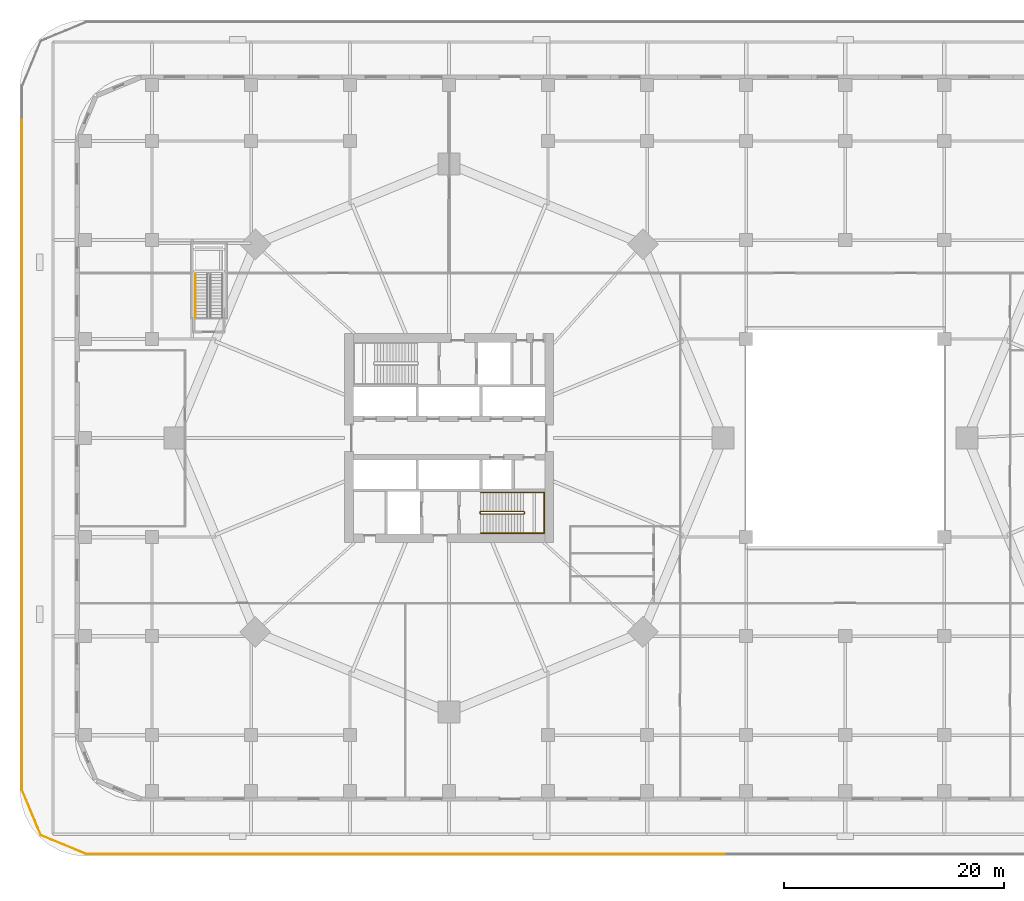
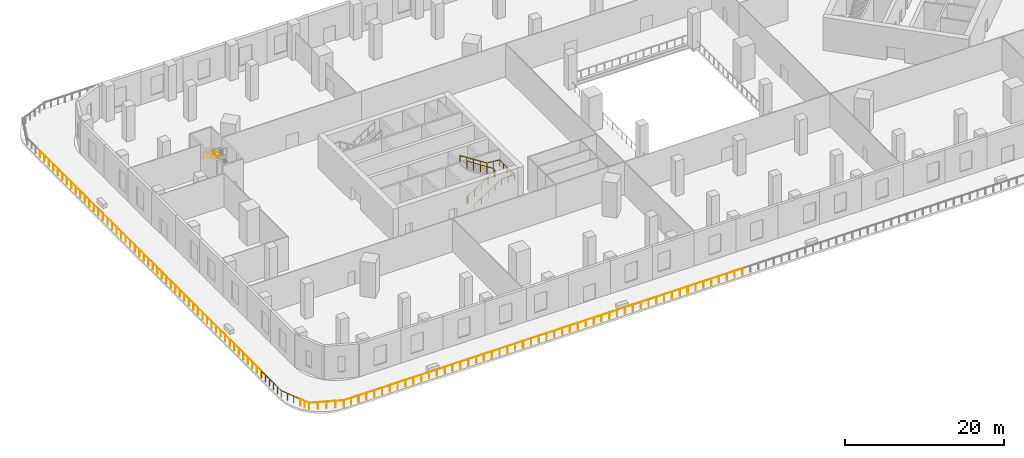
# One storey, part 14 of 20: 19 railings.
"""IFC4 building model written with IfcOpenShell, lengths in metres."""

from ifc_helpers import new_model, si_unit, direction, frame, origin, origin_2d, place, context, subcontext, project, spatial, circle, extrude, material, type_object, element, save


model = new_model("IFC4")

# Units and contexts
model_context = context("Model", 3, precision=1e-05, world=origin(), true_north=direction((0.0, 1.0)))
body_context = subcontext(model_context, "Body", "Model", "MODEL_VIEW")
ifc_project = project(units=[si_unit("LENGTHUNIT", "METRE"), si_unit("AREAUNIT", "SQUARE_METRE"), si_unit("VOLUMEUNIT", "CUBIC_METRE"), si_unit("PLANEANGLEUNIT", "RADIAN"), si_unit("MASSUNIT", "GRAM", prefix="KILO")], contexts=[model_context])

# Site, building, storey
site_placement = place(None, origin())
site = spatial("IfcSite", under=ifc_project, at=site_placement, CompositionType="ELEMENT")
building_placement = place(site_placement, origin())
building = spatial("IfcBuilding", under=site, at=building_placement, Name="Ogive Gate Towers", CompositionType="ELEMENT")
storey_placement = place(building_placement, frame((0.0, 0.0, 7.199951171875)))
storey = spatial("IfcBuildingStorey", under=building, at=storey_placement, Name="L01", CompositionType="ELEMENT", Elevation=7.199951171875)

# Railings
ifc_material_1 = material(Name="Stainless steel", Category="steel")
railing_type_1 = type_object("IfcRailingType", Name="Guard 1100", PredefinedType="GUARDRAIL", material=ifc_material_1)
for number, where, name in (
    (1, (-74.800048828125, 28.8916015625, 0.0), "Terrace guard"),
    (2, (-74.800048828125, 20.900390625, 0.0), "Terrace guard"),
    (3, (-74.800048828125, 12.9091796875, 0.0), "Terrace guard"),
):
    element("IfcRailing", number, at=place(storey_placement, frame(where)), inside=storey, type_object=railing_type_1, Name=name, PredefinedType="GUARDRAIL", context=body_context, shape_type="SweptSolid", body=[
        extrude(circle(Radius=0.02392578125, at=origin_2d()), frame((0.0, 0.0, 1.076171875), z_axis=(0.0, -1.0, 0.0), x_axis=(1.0, 0.0, 0.0)), (0.0, 0.0, 1.0), 7.941162109375),
        extrude(circle(Radius=0.02099609375, at=origin_2d()), origin(), (0.0, 0.0, 1.0), 1.052001953125),
        extrude(circle(Radius=0.02099609375, at=origin_2d()), frame((0.0, -1.134521484375, 0.0)), (0.0, 0.0, 1.0), 1.052001953125),
        extrude(circle(Radius=0.02099609375, at=origin_2d()), frame((0.0, -2.268798828125, 0.0)), (0.0, 0.0, 1.0), 1.052001953125),
        extrude(circle(Radius=0.02099609375, at=origin_2d()), frame((0.0, -3.4033203125, 0.0)), (0.0, 0.0, 1.0), 1.052001953125),
        extrude(circle(Radius=0.02099609375, at=origin_2d()), frame((0.0, -4.537841796875, 0.0)), (0.0, 0.0, 1.0), 1.052001953125),
        extrude(circle(Radius=0.02099609375, at=origin_2d()), frame((0.0, -5.67236328125, 0.0)), (0.0, 0.0, 1.0), 1.052001953125),
        extrude(circle(Radius=0.02099609375, at=origin_2d()), frame((0.0, -6.806640625, 0.0)), (0.0, 0.0, 1.0), 1.052001953125),
        extrude(circle(Radius=0.02099609375, at=origin_2d()), frame((0.0, -7.941162109375, 0.0)), (0.0, 0.0, 1.0), 1.052001953125),
    ])
railing_1_placement = place(storey_placement, frame((-74.800048828125, 4.918212890625, 0.0)))
element("IfcRailing", 4, at=railing_1_placement, inside=storey, type_object=railing_type_1, Name="Terrace guard", PredefinedType="GUARDRAIL", context=body_context, shape_type="SweptSolid", body=[
    extrude(circle(Radius=0.02392578125, at=origin_2d()), frame((0.0, 0.0, 1.076171875), z_axis=(0.0, -1.0, 0.0), x_axis=(1.0, 0.0, 0.0)), (0.0, 0.0, 1.0), 7.94140625),
    extrude(circle(Radius=0.02099609375, at=origin_2d()), origin(), (0.0, 0.0, 1.0), 1.052001953125),
    extrude(circle(Radius=0.02099609375, at=origin_2d()), frame((0.0, -1.134521484375, 0.0)), (0.0, 0.0, 1.0), 1.052001953125),
    extrude(circle(Radius=0.02099609375, at=origin_2d()), frame((0.0, -2.26904296875, 0.0)), (0.0, 0.0, 1.0), 1.052001953125),
    extrude(circle(Radius=0.02099609375, at=origin_2d()), frame((0.0, -3.403564453125, 0.0)), (0.0, 0.0, 1.0), 1.052001953125),
    extrude(circle(Radius=0.02099609375, at=origin_2d()), frame((0.0, -4.537841796875, 0.0)), (0.0, 0.0, 1.0), 1.052001953125),
    extrude(circle(Radius=0.02099609375, at=origin_2d()), frame((0.0, -5.67236328125, 0.0)), (0.0, 0.0, 1.0), 1.052001953125),
    extrude(circle(Radius=0.02099609375, at=origin_2d()), frame((0.0, -6.806884765625, 0.0)), (0.0, 0.0, 1.0), 1.052001953125),
    extrude(circle(Radius=0.02099609375, at=origin_2d()), frame((0.0, -7.94140625, 0.0)), (0.0, 0.0, 1.0), 1.052001953125),
])
for number, where, name in (
    (5, (-74.800048828125, -3.072998046875, 0.0), "Terrace guard"),
    (6, (-74.800048828125, -11.064208984375, 0.0), "Terrace guard"),
    (7, (-74.800048828125, -19.055419921875, 0.0), "Terrace guard"),
):
    element("IfcRailing", number, at=place(storey_placement, frame(where)), inside=storey, type_object=railing_type_1, Name=name, PredefinedType="GUARDRAIL", context=body_context, shape_type="SweptSolid", body=[
        extrude(circle(Radius=0.02392578125, at=origin_2d()), frame((0.0, 0.0, 1.076171875), z_axis=(0.0, -1.0, 0.0), x_axis=(1.0, 0.0, 0.0)), (0.0, 0.0, 1.0), 7.941162109375),
        extrude(circle(Radius=0.02099609375, at=origin_2d()), origin(), (0.0, 0.0, 1.0), 1.052001953125),
        extrude(circle(Radius=0.02099609375, at=origin_2d()), frame((0.0, -1.134521484375, 0.0)), (0.0, 0.0, 1.0), 1.052001953125),
        extrude(circle(Radius=0.02099609375, at=origin_2d()), frame((0.0, -2.268798828125, 0.0)), (0.0, 0.0, 1.0), 1.052001953125),
        extrude(circle(Radius=0.02099609375, at=origin_2d()), frame((0.0, -3.4033203125, 0.0)), (0.0, 0.0, 1.0), 1.052001953125),
        extrude(circle(Radius=0.02099609375, at=origin_2d()), frame((0.0, -4.537841796875, 0.0)), (0.0, 0.0, 1.0), 1.052001953125),
        extrude(circle(Radius=0.02099609375, at=origin_2d()), frame((0.0, -5.67236328125, 0.0)), (0.0, 0.0, 1.0), 1.052001953125),
        extrude(circle(Radius=0.02099609375, at=origin_2d()), frame((0.0, -6.806640625, 0.0)), (0.0, 0.0, 1.0), 1.052001953125),
        extrude(circle(Radius=0.02099609375, at=origin_2d()), frame((0.0, -7.941162109375, 0.0)), (0.0, 0.0, 1.0), 1.052001953125),
    ])
railing_2_placement = place(storey_placement, frame((-74.800048828125, -27.04638671875, 0.0)))
element("IfcRailing", 8, at=railing_2_placement, inside=storey, type_object=railing_type_1, Name="Terrace guard", PredefinedType="GUARDRAIL", context=body_context, shape_type="SweptSolid", body=[
    extrude(circle(Radius=0.02392578125, at=origin_2d()), frame((0.0, 0.0, 1.076171875), z_axis=(0.0, -1.0, 0.0), x_axis=(1.0, 0.0, 0.0)), (0.0, 0.0, 1.0), 4.95361328125),
    extrude(circle(Radius=0.02392578125, at=origin_2d()), frame((0.0, -4.95361328125, 1.076171875), z_axis=(0.382676559547, -0.923882379296, 0.0), x_axis=(0.923882379296, 0.382676559547, 0.0)), (0.0, 0.0, 1.0), 2.987548828125),
    extrude(circle(Radius=0.02099609375, at=origin_2d()), origin(), (0.0, 0.0, 1.0), 1.052001953125),
    extrude(circle(Radius=0.02099609375, at=origin_2d()), frame((0.0, -0.99072265625, 0.0)), (0.0, 0.0, 1.0), 1.052001953125),
    extrude(circle(Radius=0.02099609375, at=origin_2d()), frame((0.0, -1.9814453125, 0.0)), (0.0, 0.0, 1.0), 1.052001953125),
    extrude(circle(Radius=0.02099609375, at=origin_2d()), frame((0.0, -2.97216796875, 0.0)), (0.0, 0.0, 1.0), 1.052001953125),
    extrude(circle(Radius=0.02099609375, at=origin_2d()), frame((0.0, -3.962890625, 0.0)), (0.0, 0.0, 1.0), 1.052001953125),
    extrude(circle(Radius=0.02099609375, at=origin_2d()), frame((0.0, -4.95361328125, 0.0)), (0.0, 0.0, 1.0), 1.052001953125),
    extrude(circle(Radius=0.02099609375, at=origin_2d()), frame((0.381103515625, -5.873779296875, 0.0)), (0.0, 0.0, 1.0), 1.052001953125),
    extrude(circle(Radius=0.02099609375, at=origin_2d()), frame((0.76220703125, -6.793701171875, 0.0)), (0.0, 0.0, 1.0), 1.052001953125),
    extrude(circle(Radius=0.02099609375, at=origin_2d()), frame((1.143310546875, -7.7138671875, 0.0)), (0.0, 0.0, 1.0), 1.052001953125),
])
railing_3_placement = place(storey_placement, frame((-73.637451171875, -34.806396484375, 0.0)))
element("IfcRailing", 9, at=railing_3_placement, inside=storey, type_object=railing_type_1, Name="Terrace guard", PredefinedType="GUARDRAIL", context=body_context, shape_type="SweptSolid", body=[
    extrude(circle(Radius=0.02392578125, at=origin_2d()), frame((0.0, 0.0, 1.076171875), z_axis=(0.382536416134, -0.923940414925, 0.0), x_axis=(0.923940414925, 0.382536416134, 0.0)), (0.0, 0.0, 1.0), 1.401611328125),
    extrude(circle(Radius=0.02392578125, at=origin_2d()), frame((0.5361328125, -1.294921875, 1.076171875), z_axis=(0.923886797369, -0.382665892976, 0.0), x_axis=(0.382665892976, 0.923886797369, 0.0)), (0.0, 0.0, 1.0), 4.439208984375),
    extrude(circle(Radius=0.02392578125, at=origin_2d()), frame((4.637451171875, -2.99365234375, 1.076171875), z_axis=(1.0, 0.0, 0.0), x_axis=(0.0, 1.0, 0.0)), (0.0, 0.0, 1.0), 2.1005859375),
    extrude(circle(Radius=0.02099609375, at=origin_2d()), origin(), (0.0, 0.0, 1.0), 1.052001953125),
    extrude(circle(Radius=0.02099609375, at=origin_2d()), frame((0.26806640625, -0.6474609375, 0.0)), (0.0, 0.0, 1.0), 1.052001953125),
    extrude(circle(Radius=0.02099609375, at=origin_2d()), frame((0.5361328125, -1.294921875, 0.0)), (0.0, 0.0, 1.0), 1.052001953125),
    extrude(circle(Radius=0.02099609375, at=origin_2d()), frame((1.5615234375, -1.7197265625, 0.0)), (0.0, 0.0, 1.0), 1.052001953125),
    extrude(circle(Radius=0.02099609375, at=origin_2d()), frame((2.5869140625, -2.144287109375, 0.0)), (0.0, 0.0, 1.0), 1.052001953125),
    extrude(circle(Radius=0.02099609375, at=origin_2d()), frame((3.612060546875, -2.56884765625, 0.0)), (0.0, 0.0, 1.0), 1.052001953125),
    extrude(circle(Radius=0.02099609375, at=origin_2d()), frame((4.637451171875, -2.99365234375, 0.0)), (0.0, 0.0, 1.0), 1.052001953125),
    extrude(circle(Radius=0.02099609375, at=origin_2d()), frame((5.687744140625, -2.99365234375, 0.0)), (0.0, 0.0, 1.0), 1.052001953125),
    extrude(circle(Radius=0.02099609375, at=origin_2d()), frame((6.738037109375, -2.99365234375, 0.0)), (0.0, 0.0, 1.0), 1.052001953125),
])
railing_4_placement = place(storey_placement, frame((-66.849609375, -37.800048828125, 0.0)))
element("IfcRailing", 10, at=railing_4_placement, inside=storey, type_object=railing_type_1, Name="Terrace guard", PredefinedType="GUARDRAIL", context=body_context, shape_type="SweptSolid", body=[
    extrude(circle(Radius=0.02392578125, at=origin_2d()), frame((0.0, 0.0, 1.076171875), z_axis=(1.0, 0.0, 0.0), x_axis=(0.0, 1.0, 0.0)), (0.0, 0.0, 1.0), 7.94140625),
    extrude(circle(Radius=0.02099609375, at=origin_2d()), origin(), (0.0, 0.0, 1.0), 1.052001953125),
    extrude(circle(Radius=0.02099609375, at=origin_2d()), frame((1.134521484375, 0.0, 0.0)), (0.0, 0.0, 1.0), 1.052001953125),
    extrude(circle(Radius=0.02099609375, at=origin_2d()), frame((2.26904296875, 0.0, 0.0)), (0.0, 0.0, 1.0), 1.052001953125),
    extrude(circle(Radius=0.02099609375, at=origin_2d()), frame((3.403564453125, 0.0, 0.0)), (0.0, 0.0, 1.0), 1.052001953125),
    extrude(circle(Radius=0.02099609375, at=origin_2d()), frame((4.537841796875, 0.0, 0.0)), (0.0, 0.0, 1.0), 1.052001953125),
    extrude(circle(Radius=0.02099609375, at=origin_2d()), frame((5.67236328125, 0.0, 0.0)), (0.0, 0.0, 1.0), 1.052001953125),
    extrude(circle(Radius=0.02099609375, at=origin_2d()), frame((6.806884765625, 0.0, 0.0)), (0.0, 0.0, 1.0), 1.052001953125),
    extrude(circle(Radius=0.02099609375, at=origin_2d()), frame((7.94140625, 0.0, 0.0)), (0.0, 0.0, 1.0), 1.052001953125),
])
for number, where, name in (
    (11, (-58.8583984375, -37.800048828125, 0.0), "Terrace guard"),
    (12, (-50.8671875, -37.800048828125, 0.0), "Terrace guard"),
    (13, (-42.8759765625, -37.800048828125, 0.0), "Terrace guard"),
):
    element("IfcRailing", number, at=place(storey_placement, frame(where)), inside=storey, type_object=railing_type_1, Name=name, PredefinedType="GUARDRAIL", context=body_context, shape_type="SweptSolid", body=[
        extrude(circle(Radius=0.02392578125, at=origin_2d()), frame((0.0, 0.0, 1.076171875), z_axis=(1.0, 0.0, 0.0), x_axis=(0.0, 1.0, 0.0)), (0.0, 0.0, 1.0), 7.941162109375),
        extrude(circle(Radius=0.02099609375, at=origin_2d()), origin(), (0.0, 0.0, 1.0), 1.052001953125),
        extrude(circle(Radius=0.02099609375, at=origin_2d()), frame((1.134521484375, 0.0, 0.0)), (0.0, 0.0, 1.0), 1.052001953125),
        extrude(circle(Radius=0.02099609375, at=origin_2d()), frame((2.268798828125, 0.0, 0.0)), (0.0, 0.0, 1.0), 1.052001953125),
        extrude(circle(Radius=0.02099609375, at=origin_2d()), frame((3.4033203125, 0.0, 0.0)), (0.0, 0.0, 1.0), 1.052001953125),
        extrude(circle(Radius=0.02099609375, at=origin_2d()), frame((4.537841796875, 0.0, 0.0)), (0.0, 0.0, 1.0), 1.052001953125),
        extrude(circle(Radius=0.02099609375, at=origin_2d()), frame((5.67236328125, 0.0, 0.0)), (0.0, 0.0, 1.0), 1.052001953125),
        extrude(circle(Radius=0.02099609375, at=origin_2d()), frame((6.806640625, 0.0, 0.0)), (0.0, 0.0, 1.0), 1.052001953125),
        extrude(circle(Radius=0.02099609375, at=origin_2d()), frame((7.941162109375, 0.0, 0.0)), (0.0, 0.0, 1.0), 1.052001953125),
    ])
railing_5_placement = place(storey_placement, frame((-34.885009765625, -37.800048828125, 0.0)))
element("IfcRailing", 14, at=railing_5_placement, inside=storey, type_object=railing_type_1, Name="Terrace guard", PredefinedType="GUARDRAIL", context=body_context, shape_type="SweptSolid", body=[
    extrude(circle(Radius=0.02392578125, at=origin_2d()), frame((0.0, 0.0, 1.076171875), z_axis=(1.0, 0.0, 0.0), x_axis=(0.0, 1.0, 0.0)), (0.0, 0.0, 1.0), 7.94140625),
    extrude(circle(Radius=0.02099609375, at=origin_2d()), origin(), (0.0, 0.0, 1.0), 1.052001953125),
    extrude(circle(Radius=0.02099609375, at=origin_2d()), frame((1.134521484375, 0.0, 0.0)), (0.0, 0.0, 1.0), 1.052001953125),
    extrude(circle(Radius=0.02099609375, at=origin_2d()), frame((2.26904296875, 0.0, 0.0)), (0.0, 0.0, 1.0), 1.052001953125),
    extrude(circle(Radius=0.02099609375, at=origin_2d()), frame((3.403564453125, 0.0, 0.0)), (0.0, 0.0, 1.0), 1.052001953125),
    extrude(circle(Radius=0.02099609375, at=origin_2d()), frame((4.537841796875, 0.0, 0.0)), (0.0, 0.0, 1.0), 1.052001953125),
    extrude(circle(Radius=0.02099609375, at=origin_2d()), frame((5.67236328125, 0.0, 0.0)), (0.0, 0.0, 1.0), 1.052001953125),
    extrude(circle(Radius=0.02099609375, at=origin_2d()), frame((6.806884765625, 0.0, 0.0)), (0.0, 0.0, 1.0), 1.052001953125),
    extrude(circle(Radius=0.02099609375, at=origin_2d()), frame((7.94140625, 0.0, 0.0)), (0.0, 0.0, 1.0), 1.052001953125),
])
for number, where, name in (
    (15, (-26.893798828125, -37.800048828125, 0.0), "Terrace guard"),
    (16, (-18.902587890625, -37.800048828125, 0.0), "Terrace guard"),
):
    element("IfcRailing", number, at=place(storey_placement, frame(where)), inside=storey, type_object=railing_type_1, Name=name, PredefinedType="GUARDRAIL", context=body_context, shape_type="SweptSolid", body=[
        extrude(circle(Radius=0.02392578125, at=origin_2d()), frame((0.0, 0.0, 1.076171875), z_axis=(1.0, 0.0, 0.0), x_axis=(0.0, 1.0, 0.0)), (0.0, 0.0, 1.0), 7.941162109375),
        extrude(circle(Radius=0.02099609375, at=origin_2d()), origin(), (0.0, 0.0, 1.0), 1.052001953125),
        extrude(circle(Radius=0.02099609375, at=origin_2d()), frame((1.134521484375, 0.0, 0.0)), (0.0, 0.0, 1.0), 1.052001953125),
        extrude(circle(Radius=0.02099609375, at=origin_2d()), frame((2.268798828125, 0.0, 0.0)), (0.0, 0.0, 1.0), 1.052001953125),
        extrude(circle(Radius=0.02099609375, at=origin_2d()), frame((3.4033203125, 0.0, 0.0)), (0.0, 0.0, 1.0), 1.052001953125),
        extrude(circle(Radius=0.02099609375, at=origin_2d()), frame((4.537841796875, 0.0, 0.0)), (0.0, 0.0, 1.0), 1.052001953125),
        extrude(circle(Radius=0.02099609375, at=origin_2d()), frame((5.67236328125, 0.0, 0.0)), (0.0, 0.0, 1.0), 1.052001953125),
        extrude(circle(Radius=0.02099609375, at=origin_2d()), frame((6.806640625, 0.0, 0.0)), (0.0, 0.0, 1.0), 1.052001953125),
        extrude(circle(Radius=0.02099609375, at=origin_2d()), frame((7.941162109375, 0.0, 0.0)), (0.0, 0.0, 1.0), 1.052001953125),
    ])
ifc_material_2 = material(Name="Stainless steel handrail", Category="steel")
railing_type_2 = type_object("IfcRailingType", Name="Podium stair handrail 900", PredefinedType="HANDRAIL", material=ifc_material_2)
railing_6_placement = place(storey_placement, frame((-59.050048828125, 14.8701171875, 2.880126953125)))
element("IfcRailing", 17, at=railing_6_placement, inside=storey, type_object=railing_type_2, Name="L01 PS1 stair handrail 2", PredefinedType="HANDRAIL", context=body_context, shape_type="SweptSolid", body=[
    extrude(circle(Radius=0.02392578125, at=origin_2d()), frame((0.0, 0.0, 0.8759765625), z_axis=(0.0, -0.841186985886, 0.540744352514), x_axis=(1.0, 0.0, 0.0)), (0.0, 0.0, 1.0), 4.660400390625),
    extrude(circle(Radius=0.02099609375, at=origin_2d()), origin(), (0.0, 0.0, 1.0), 0.851806640625),
    extrude(circle(Radius=0.02099609375, at=origin_2d()), frame((0.0, -0.97998046875, 0.6298828125)), (0.0, 0.0, 1.0), 0.851806640625),
    extrude(circle(Radius=0.02099609375, at=origin_2d()), frame((0.0, -1.9599609375, 1.260009765625)), (0.0, 0.0, 1.0), 0.851806640625),
    extrude(circle(Radius=0.02099609375, at=origin_2d()), frame((0.0, -2.940185546875, 1.89013671875)), (0.0, 0.0, 1.0), 0.851806640625),
    extrude(circle(Radius=0.02099609375, at=origin_2d()), frame((0.0, -3.920166015625, 2.52001953125)), (0.0, 0.0, 1.0), 0.851806640625),
])
railing_type_3 = type_object("IfcRailingType", Name="Stair guard 1100", PredefinedType="GUARDRAIL", material=ifc_material_1)
railing_7_placement = place(storey_placement, frame((-33.18505859375, -6.860107421875, 0.0)))
element("IfcRailing", 18, at=railing_7_placement, inside=storey, type_object=railing_type_3, Name="L01 ST2 stair guard 1", PredefinedType="GUARDRAIL", context=body_context, shape_type="SweptSolid", body=[
    extrude(circle(Radius=0.02392578125, at=origin_2d()), frame((0.0, 0.0, 1.076171875), z_axis=(0.0, 1.0, 0.0), x_axis=(-1.0, 0.0, 0.0)), (0.0, 0.0, 1.0), 0.14501953125),
    extrude(circle(Radius=0.02392578125, at=origin_2d()), frame((0.0, 0.14501953125, 1.076171875), z_axis=(0.185446488196, -0.721884378442, 0.666702740491), x_axis=(0.968551454522, 0.24881334358, 0.0)), (0.0, 0.0, 1.0), 0.269775390625),
    extrude(circle(Radius=0.02392578125, at=origin_2d()), frame((0.050048828125, -0.0498046875, 1.255859375), z_axis=(0.841171666519, 0.0, 0.540768182723), x_axis=(0.0, 1.0, 0.0)), (0.0, 0.0, 1.0), 4.66015625),
    extrude(circle(Radius=0.02392578125, at=origin_2d()), frame((3.969970703125, -0.0498046875, 3.77587890625), z_axis=(0.708833529934, 0.705375805398, 0.0), x_axis=(-0.705375805398, 0.708833529934, 0.0)), (0.0, 0.0, 1.0), 0.070556640625),
    extrude(circle(Radius=0.02392578125, at=origin_2d()), frame((4.02001953125, 0.0, 3.77587890625), z_axis=(0.0, 1.0, 0.0), x_axis=(-1.0, 0.0, 0.0)), (0.0, 0.0, 1.0), 0.14501953125),
    extrude(circle(Radius=0.02392578125, at=origin_2d()), frame((4.02001953125, 0.14501953125, 3.77587890625), z_axis=(-0.258543844998, 0.258543844998, 0.930757841991), x_axis=(-0.707106781187, -0.707106781187, 0.0)), (0.0, 0.0, 1.0), 0.193603515625),
    extrude(circle(Radius=0.02392578125, at=origin_2d()), frame((3.969970703125, 0.195068359375, 3.9560546875), z_axis=(-0.841171666519, 0.0, 0.540768182723), x_axis=(0.0, -1.0, 0.0)), (0.0, 0.0, 1.0), 4.66015625),
    extrude(circle(Radius=0.02099609375, at=origin_2d()), origin(), (0.0, 0.0, 1.0), 1.052001953125),
    extrude(circle(Radius=0.02099609375, at=origin_2d()), frame((0.0, 0.14501953125, 0.0)), (0.0, 0.0, 1.0), 1.052001953125),
    extrude(circle(Radius=0.02099609375, at=origin_2d()), frame((0.050048828125, -0.0498046875, 0.179931640625)), (0.0, 0.0, 1.0), 1.052001953125),
    extrude(circle(Radius=0.02099609375, at=origin_2d()), frame((1.030029296875, -0.0498046875, 0.81005859375)), (0.0, 0.0, 1.0), 1.052001953125),
    extrude(circle(Radius=0.02099609375, at=origin_2d()), frame((2.010009765625, -0.0498046875, 1.43994140625)), (0.0, 0.0, 1.0), 1.052001953125),
    extrude(circle(Radius=0.02099609375, at=origin_2d()), frame((2.989990234375, -0.0498046875, 2.06982421875)), (0.0, 0.0, 1.0), 1.052001953125),
    extrude(circle(Radius=0.02099609375, at=origin_2d()), frame((3.969970703125, -0.0498046875, 2.699951171875)), (0.0, 0.0, 1.0), 1.052001953125),
    extrude(circle(Radius=0.02099609375, at=origin_2d()), frame((4.02001953125, 0.0, 2.699951171875)), (0.0, 0.0, 1.0), 1.052001953125),
    extrude(circle(Radius=0.02099609375, at=origin_2d()), frame((4.02001953125, 0.14501953125, 2.699951171875)), (0.0, 0.0, 1.0), 1.052001953125),
    extrude(circle(Radius=0.02099609375, at=origin_2d()), frame((3.969970703125, 0.195068359375, 2.880126953125)), (0.0, 0.0, 1.0), 1.052001953125),
    extrude(circle(Radius=0.02099609375, at=origin_2d()), frame((2.989990234375, 0.195068359375, 3.51025390625)), (0.0, 0.0, 1.0), 1.052001953125),
    extrude(circle(Radius=0.02099609375, at=origin_2d()), frame((2.010009765625, 0.195068359375, 4.14013671875)), (0.0, 0.0, 1.0), 1.052001953125),
    extrude(circle(Radius=0.02099609375, at=origin_2d()), frame((1.030029296875, 0.195068359375, 4.77001953125)), (0.0, 0.0, 1.0), 1.052001953125),
    extrude(circle(Radius=0.02099609375, at=origin_2d()), frame((0.050048828125, 0.195068359375, 5.400146484375)), (0.0, 0.0, 1.0), 1.052001953125),
])
railing_type_4 = type_object("IfcRailingType", Name="Stair handrail 900", PredefinedType="HANDRAIL", material=ifc_material_1)
railing_8_placement = place(storey_placement, frame((-33.135009765625, -8.64990234375, 0.179931640625)))
element("IfcRailing", 19, at=railing_8_placement, inside=storey, type_object=railing_type_4, Name="L01 ST2 stair handrail 1", PredefinedType="HANDRAIL", context=body_context, shape_type="SweptSolid", body=[
    extrude(circle(Radius=0.02392578125, at=origin_2d()), frame((0.0, 0.0, 0.8759765625), z_axis=(0.841171666519, 0.0, 0.540768182723), x_axis=(0.0, 1.0, 0.0)), (0.0, 0.0, 1.0), 4.66015625),
    extrude(circle(Radius=0.02392578125, at=origin_2d()), frame((3.919921875, 0.0, 3.39599609375), z_axis=(1.0, 0.0, 0.0), x_axis=(0.0, 1.0, 0.0)), (0.0, 0.0, 1.0), 1.864990234375),
    extrude(circle(Radius=0.02392578125, at=origin_2d()), frame((5.784912109375, 0.0, 3.39599609375), z_axis=(0.0, 1.0, 0.0), x_axis=(-1.0, 0.0, 0.0)), (0.0, 0.0, 1.0), 3.724853515625),
    extrude(circle(Radius=0.02392578125, at=origin_2d()), frame((5.784912109375, 3.724853515625, 3.39599609375), z_axis=(-0.995365716967, 0.0, 0.096161788077), x_axis=(0.0, -1.0, 0.0)), (0.0, 0.0, 1.0), 1.873779296875),
    extrude(circle(Radius=0.02392578125, at=origin_2d()), frame((3.919921875, 3.724853515625, 3.576171875), z_axis=(-0.841171666519, 0.0, 0.540768182723), x_axis=(0.0, -1.0, 0.0)), (0.0, 0.0, 1.0), 4.66015625),
    extrude(circle(Radius=0.02099609375, at=origin_2d()), origin(), (0.0, 0.0, 1.0), 0.851806640625),
    extrude(circle(Radius=0.02099609375, at=origin_2d()), frame((0.97998046875, 0.0, 0.6298828125)), (0.0, 0.0, 1.0), 0.851806640625),
    extrude(circle(Radius=0.02099609375, at=origin_2d()), frame((1.9599609375, 0.0, 1.260009765625)), (0.0, 0.0, 1.0), 0.851806640625),
    extrude(circle(Radius=0.02099609375, at=origin_2d()), frame((2.93994140625, 0.0, 1.89013671875)), (0.0, 0.0, 1.0), 0.851806640625),
    extrude(circle(Radius=0.02099609375, at=origin_2d()), frame((3.919921875, 0.0, 2.52001953125)), (0.0, 0.0, 1.0), 0.851806640625),
    extrude(circle(Radius=0.02099609375, at=origin_2d()), frame((4.8525390625, 0.0, 2.52001953125)), (0.0, 0.0, 1.0), 0.851806640625),
    extrude(circle(Radius=0.02099609375, at=origin_2d()), frame((5.784912109375, 0.0, 2.52001953125)), (0.0, 0.0, 1.0), 0.851806640625),
    extrude(circle(Radius=0.02099609375, at=origin_2d()), frame((5.784912109375, 0.93115234375, 2.52001953125)), (0.0, 0.0, 1.0), 0.851806640625),
    extrude(circle(Radius=0.02099609375, at=origin_2d()), frame((5.784912109375, 1.8623046875, 2.52001953125)), (0.0, 0.0, 1.0), 0.851806640625),
    extrude(circle(Radius=0.02099609375, at=origin_2d()), frame((5.784912109375, 2.793701171875, 2.52001953125)), (0.0, 0.0, 1.0), 0.851806640625),
    extrude(circle(Radius=0.02099609375, at=origin_2d()), frame((5.784912109375, 3.724853515625, 2.52001953125)), (0.0, 0.0, 1.0), 0.851806640625),
    extrude(circle(Radius=0.02099609375, at=origin_2d()), frame((4.8525390625, 3.724853515625, 2.610107421875)), (0.0, 0.0, 1.0), 0.851806640625),
    extrude(circle(Radius=0.02099609375, at=origin_2d()), frame((3.919921875, 3.724853515625, 2.7001953125)), (0.0, 0.0, 1.0), 0.851806640625),
    extrude(circle(Radius=0.02099609375, at=origin_2d()), frame((2.93994140625, 3.724853515625, 3.330078125)), (0.0, 0.0, 1.0), 0.851806640625),
    extrude(circle(Radius=0.02099609375, at=origin_2d()), frame((1.9599609375, 3.724853515625, 3.960205078125)), (0.0, 0.0, 1.0), 0.851806640625),
    extrude(circle(Radius=0.02099609375, at=origin_2d()), frame((0.97998046875, 3.724853515625, 4.59033203125)), (0.0, 0.0, 1.0), 0.851806640625),
    extrude(circle(Radius=0.02099609375, at=origin_2d()), frame((0.0, 3.724853515625, 5.22021484375)), (0.0, 0.0, 1.0), 0.851806640625),
])

save(model, "model.ifc")
